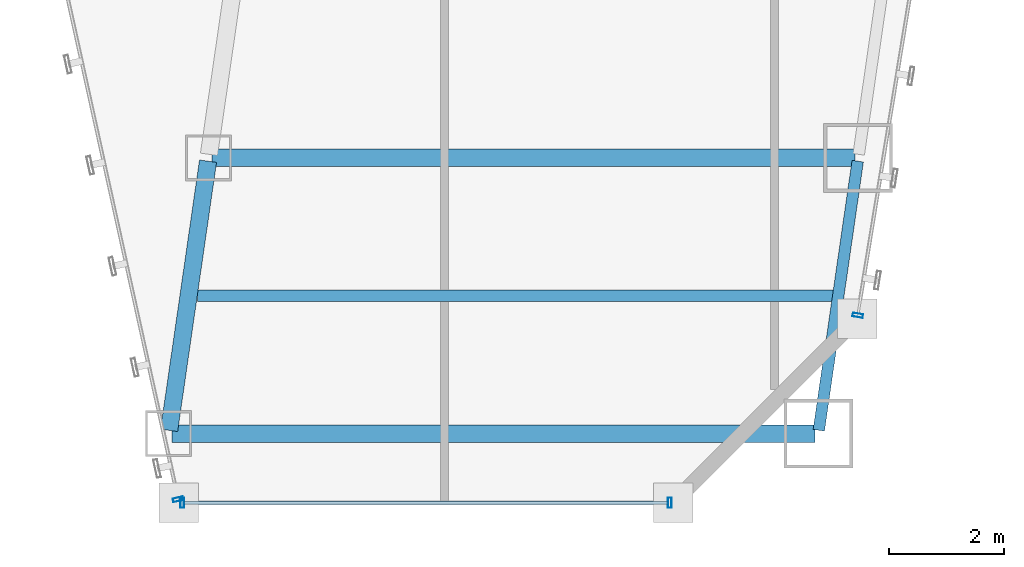
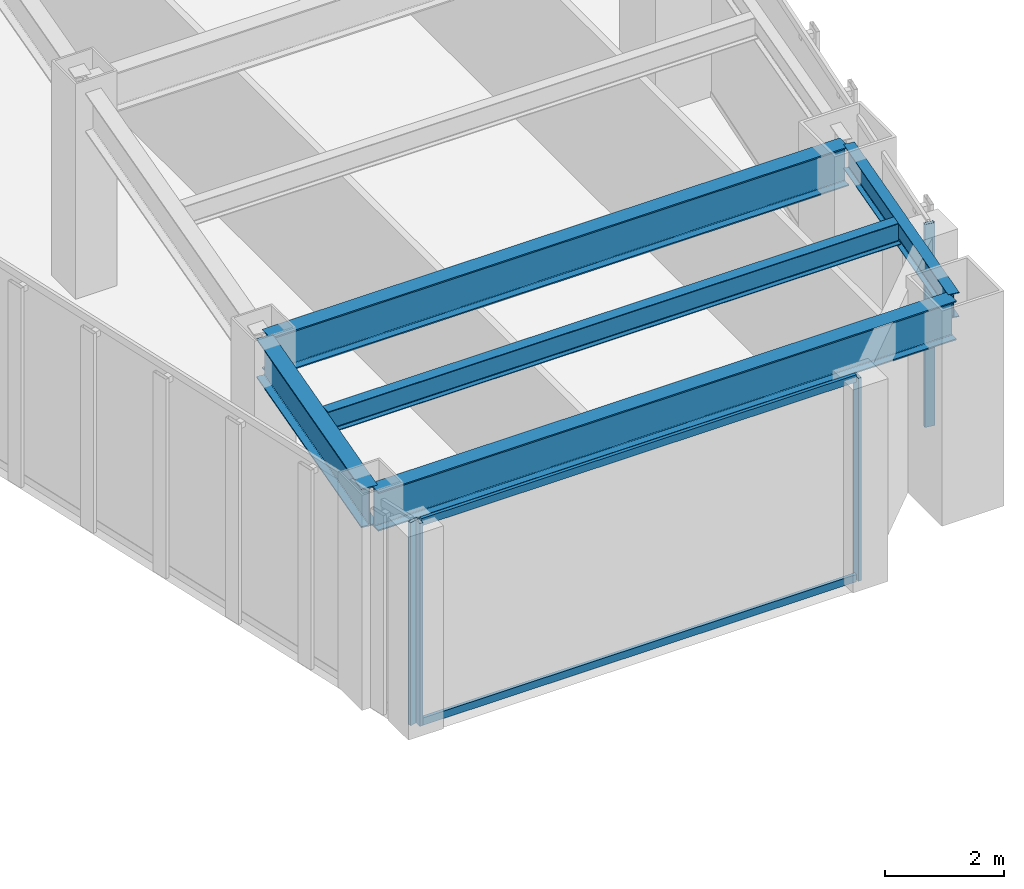
# One storey, part 15 of 47: 6 members, 5 beams, 3 elements without a shape of their own.
"""IFC4 building model written with IfcOpenShell, lengths in metres."""

from ifc_helpers import new_model, si_unit, direction, frame, origin, origin_2d, place, context, subcontext, project, spatial, hollow_rectangle, i_section, extrude, material, material_profile, profile_set, type_object, element, aggregate, save


model = new_model("IFC4")

# Units and contexts
model_context = context("Model", 3, precision=1e-05, world=origin(), true_north=direction((0.0, 1.0)))
body_context = subcontext(model_context, "Body", "Model", "MODEL_VIEW")
ifc_project = project(units=[si_unit("LENGTHUNIT", "METRE"), si_unit("AREAUNIT", "SQUARE_METRE"), si_unit("VOLUMEUNIT", "CUBIC_METRE"), si_unit("PLANEANGLEUNIT", "RADIAN"), si_unit("MASSUNIT", "GRAM", prefix="KILO")], contexts=[model_context])

# Site, building, storey
site_placement = place(None, origin())
site = spatial("IfcSite", under=ifc_project, at=site_placement, CompositionType="ELEMENT")
building_placement = place(site_placement, origin())
building = spatial("IfcBuilding", under=site, at=building_placement, Name="Saevonmaru Cultural Tower", CompositionType="ELEMENT")
storey_placement = place(building_placement, frame((0.0, 0.0, 69.199951171875)))
storey = spatial("IfcBuildingStorey", under=building, at=storey_placement, Name="L14", CompositionType="ELEMENT", Elevation=69.199951171875)

# Beams
ifc_material_1 = material(Name="Steel SM420", Category="steel")
ifc_material_profile_1 = material_profile(ifc_material_1, i_section(OverallWidth=0.300048828125, OverallDepth=0.800048828125, WebThickness=0.013916015625, FlangeThickness=0.02587890625, FilletRadius=0.028076171875, at=origin_2d()), Name="H-800x300x14x26")
ifc_profile_set_1 = profile_set([ifc_material_profile_1], Name="Steel SM420")
beam_type_1 = type_object("IfcBeamType", Name="BM-G-H800", PredefinedType="BEAM", material=ifc_profile_set_1)
beam_1_placement = place(storey_placement, frame((36.231689453125, 3.259521484375, 3.75), z_axis=(0.143083234893, 0.989710658674, 0.0), x_axis=(-0.989710658674, 0.143083234893, 0.0)))
element("IfcBeam", 1, at=beam_1_placement, inside=storey, type_object=beam_type_1, Name="L14 East Atrium Girder 1", PredefinedType="BEAM", context=body_context, shape_type="SweptSolid", body=[
    extrude(i_section(OverallWidth=0.300048828125, OverallDepth=0.800048828125, WebThickness=0.013916015625, FlangeThickness=0.02587890625, FilletRadius=0.028076171875, at=origin_2d()), origin(), (0.0, 0.0, 1.0), 4.729736328125),
])
for number, where, z_axis, x_axis, name in (
    (2, (36.282958984375, 3.199951171875, 3.75), (1.0, 0.0, 0.0), (0.0, 1.0, 0.0), "L14 East Wing Transverse Girder 1"),
    (3, (36.97705078125, 8.0, 3.75), (1.0, 0.0, 0.0), (0.0, 1.0, 0.0), "L14 East Wing Transverse Girder 2"),
):
    element("IfcBeam", number, at=place(storey_placement, frame(where, z_axis=z_axis, x_axis=x_axis)), inside=storey, type_object=beam_type_1, Name=name, PredefinedType="BEAM", context=body_context, shape_type="SweptSolid", body=[
        extrude(i_section(OverallWidth=0.300048828125, OverallDepth=0.800048828125, WebThickness=0.013916015625, FlangeThickness=0.02587890625, FilletRadius=0.028076171875, at=origin_2d()), origin(), (0.0, 0.0, 1.0), 11.179931640625),
    ])
ifc_material_2 = material(Name="Steel SM355", Category="steel")
ifc_material_profile_2 = material_profile(ifc_material_2, i_section(OverallWidth=0.199951171875, OverallDepth=0.449951171875, WebThickness=0.009033203125, FlangeThickness=0.013916015625, FilletRadius=0.01806640625, at=origin_2d()), Name="H-450x200x9x14")
ifc_profile_set_2 = profile_set([ifc_material_profile_2], Name="Steel SM355")
beam_type_2 = type_object("IfcBeamType", Name="BM-J-H450", PredefinedType="JOIST", material=ifc_profile_set_2)
beam_2_placement = place(storey_placement, frame((36.72802734375, 5.60009765625, 3.925048828125), z_axis=(1.0, 0.0, 0.0), x_axis=(0.0, 1.0, 0.0)))
element("IfcBeam", 4, at=beam_2_placement, inside=storey, type_object=beam_type_2, Name="L14 East Wing Floor Joist 1", PredefinedType="JOIST", context=body_context, shape_type="SweptSolid", body=[
    extrude(i_section(OverallWidth=0.199951171875, OverallDepth=0.449951171875, WebThickness=0.009033203125, FlangeThickness=0.013916015625, FilletRadius=0.01806640625, at=origin_2d()), origin(), (0.0, 0.0, 1.0), 11.08203125),
])
ifc_material_profile_3 = material_profile(ifc_material_2, i_section(OverallWidth=0.199951171875, OverallDepth=0.5, WebThickness=0.010009765625, FlangeThickness=0.01611328125, FilletRadius=0.02001953125, at=origin_2d()), Name="H-500x200x10x16")
ifc_profile_set_3 = profile_set([ifc_material_profile_3], Name="Steel SM355")
beam_type_3 = type_object("IfcBeamType", Name="BM-SP-H500", PredefinedType="SPANDREL", material=ifc_profile_set_3)
beam_3_placement = place(storey_placement, frame((47.531494140625, 3.259521484375, 3.900146484375), z_axis=(0.14313379491, 0.989703347855, 0.0), x_axis=(-0.989703347855, 0.14313379491, 0.0)))
element("IfcBeam", 5, at=beam_3_placement, inside=storey, type_object=beam_type_3, Name="L14 East Splayed Spandrel 1", PredefinedType="SPANDREL", context=body_context, shape_type="SweptSolid", body=[
    extrude(i_section(OverallWidth=0.199951171875, OverallDepth=0.5, WebThickness=0.010009765625, FlangeThickness=0.01611328125, FilletRadius=0.02001953125, at=origin_2d()), origin(), (0.0, 0.0, 1.0), 4.729736328125),
])

# Curtain wall, member
ifc_material_3 = material(Name="Satin Bronze Anodised Aluminium", Category="aluminium")
curtain_wall_type = type_object("IfcCurtainWallType", Name="CW-TYP-A", PredefinedType="NOTDEFINED", material=ifc_material_3)
curtain_wall_1_placement = place(storey_placement, origin())
curtain_wall_1 = element("IfcCurtainWall", 6, at=curtain_wall_1_placement, inside=storey, type_object=curtain_wall_type, Name="L14 Unitised Curtain Wall E5", PredefinedType="NOTDEFINED")
ifc_material_profile_4 = material_profile(ifc_material_3, hollow_rectangle(XDim=0.06494140625, YDim=0.179931640625, WallThickness=0.00390625, at=origin_2d()), Name="ALU-MULL-180x65x4")
ifc_profile_set_4 = profile_set([ifc_material_profile_4], Name="Satin Bronze Anodised Aluminium")
member_type_1 = type_object("IfcMemberType", Name="ML-CW-180x65", PredefinedType="MULLION", material=ifc_profile_set_4)
member_1_placement = place(storey_placement, frame((36.38720703125, 2.05859375, 0.0), z_axis=(0.0, 0.0, 1.0), x_axis=(0.215413319953, -0.976522965212, 0.0)))
member_1 = element("IfcMember", 7, at=member_1_placement, type_object=member_type_1, Name="CW-TW-L14-E5 mullion 2", PredefinedType="MULLION", context=body_context, shape_type="SweptSolid", body=[
    extrude(hollow_rectangle(XDim=0.06494140625, YDim=0.179931640625, WallThickness=0.00390625, at=origin_2d()), origin(), (0.0, 0.0, 1.0), 4.150146484375),
])
aggregate(curtain_wall_1, [member_1])

# Curtain wall, members
curtain_wall_2_placement = place(storey_placement, origin())
curtain_wall_2 = element("IfcCurtainWall", 8, at=curtain_wall_2_placement, inside=storey, type_object=curtain_wall_type, Name="L14 Unitised Curtain Wall E6", PredefinedType="NOTDEFINED")
member_2_placement = place(storey_placement, frame((36.4599609375, 2.0, 0.0), z_axis=(0.0, 0.0, 1.0), x_axis=(1.0, 0.0, 0.0)))
member_2 = element("IfcMember", 9, at=member_2_placement, type_object=member_type_1, Name="CW-TW-L14-E6 mullion 1", PredefinedType="MULLION", context=body_context, shape_type="SweptSolid", body=[
    extrude(hollow_rectangle(XDim=0.06494140625, YDim=0.179931640625, WallThickness=0.00390625, at=origin_2d()), origin(), (0.0, 0.0, 1.0), 4.150146484375),
])
member_3_placement = place(storey_placement, frame((44.93994140625, 2.0, 0.0), z_axis=(0.0, 0.0, 1.0), x_axis=(1.0, 0.0, 0.0)))
member_3 = element("IfcMember", 10, at=member_3_placement, type_object=member_type_1, Name="CW-TW-L14-E6 mullion 2", PredefinedType="MULLION", context=body_context, shape_type="SweptSolid", body=[
    extrude(hollow_rectangle(XDim=0.06494140625, YDim=0.179931640625, WallThickness=0.00390625, at=origin_2d()), origin(), (0.0, 0.0, 1.0), 4.150146484375),
])

# Curtain wall, member
curtain_wall_3_placement = place(storey_placement, origin())
curtain_wall_3 = element("IfcCurtainWall", 11, at=curtain_wall_3_placement, inside=storey, type_object=curtain_wall_type, Name="L14 Unitised Curtain Wall E8", PredefinedType="NOTDEFINED")
member_4_placement = place(storey_placement, frame((48.209716796875, 5.25927734375, 0.0), z_axis=(0.0, 0.0, 1.0), x_axis=(0.161708868641, 0.986838508472, 0.0)))
member_4 = element("IfcMember", 12, at=member_4_placement, type_object=member_type_1, Name="CW-TW-L14-E8 mullion 1", PredefinedType="MULLION", context=body_context, shape_type="SweptSolid", body=[
    extrude(hollow_rectangle(XDim=0.06494140625, YDim=0.179931640625, WallThickness=0.00390625, at=origin_2d()), origin(), (0.0, 0.0, 1.0), 4.150146484375),
])
aggregate(curtain_wall_3, [member_4])

# Member
ifc_material_profile_5 = material_profile(ifc_material_3, hollow_rectangle(XDim=0.06494140625, YDim=0.14990234375, WallThickness=0.00390625, at=origin_2d()), Name="ALU-TRAN-150x65x4")
ifc_profile_set_5 = profile_set([ifc_material_profile_5], Name="Satin Bronze Anodised Aluminium")
member_type_2 = type_object("IfcMemberType", Name="TR-CW-150x65", PredefinedType="USERDEFINED", material=ifc_profile_set_5)
member_5_placement = place(storey_placement, frame((36.492431640625, 2.0, 0.032470703125), z_axis=(1.0, 0.0, 0.0), x_axis=(0.0, 1.0, 0.0)))
member_5 = element("IfcMember", 13, at=member_5_placement, type_object=member_type_2, Name="CW-TW-L14-E6 transom 1.1", ObjectType="TRANSOM", PredefinedType="USERDEFINED", context=body_context, shape_type="SweptSolid", body=[
    extrude(hollow_rectangle(XDim=0.06494140625, YDim=0.14990234375, WallThickness=0.00390625, at=origin_2d()), origin(), (0.0, 0.0, 1.0), 8.4150390625),
])

member_6_placement = place(storey_placement, frame((36.492431640625, 2.0, 4.117431640625), z_axis=(1.0, 0.0, 0.0), x_axis=(0.0, 1.0, 0.0)))
member_6 = element("IfcMember", 14, at=member_6_placement, type_object=member_type_2, Name="CW-TW-L14-E6 transom 1.2", ObjectType="TRANSOM", PredefinedType="USERDEFINED", context=body_context, shape_type="SweptSolid", body=[
    extrude(hollow_rectangle(XDim=0.06494140625, YDim=0.14990234375, WallThickness=0.00390625, at=origin_2d()), origin(), (0.0, 0.0, 1.0), 8.4150390625),
])

aggregate(curtain_wall_2, [member_2, member_3, member_5, member_6])

save(model, "model.ifc")
